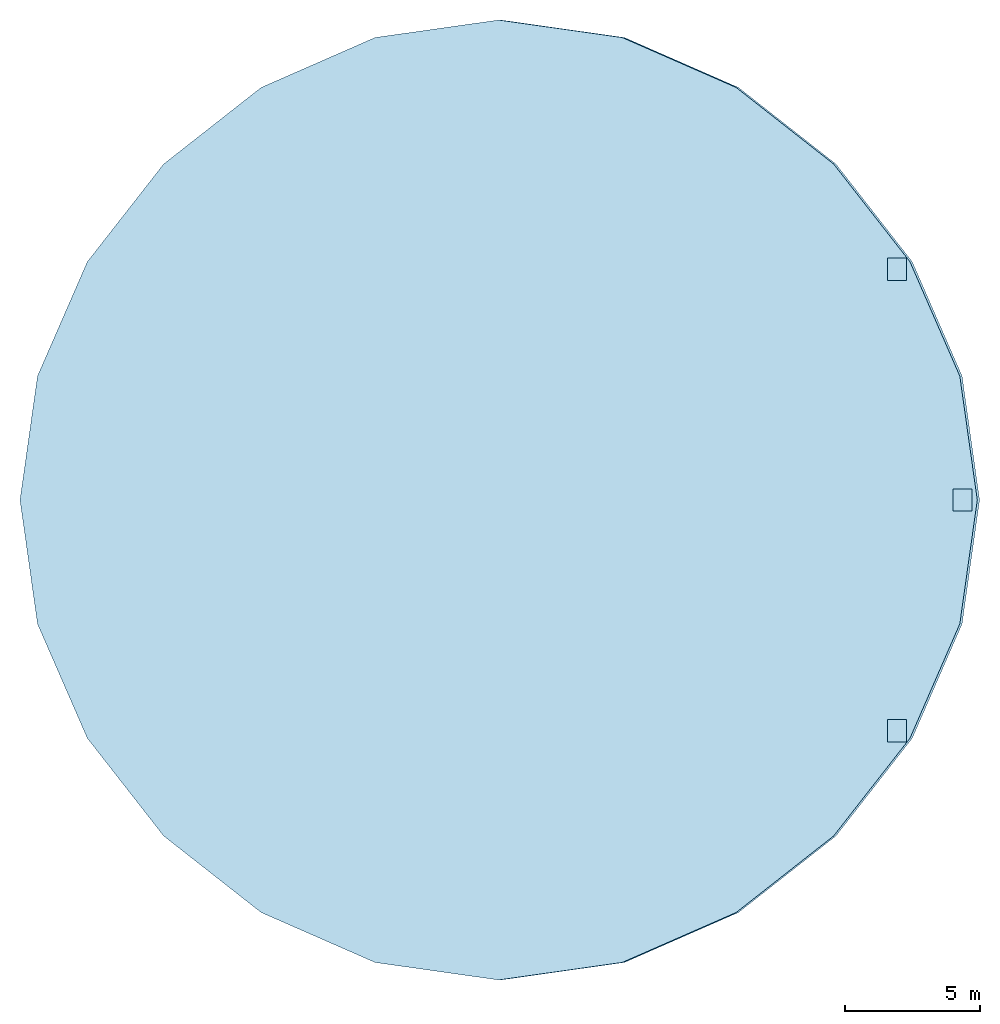
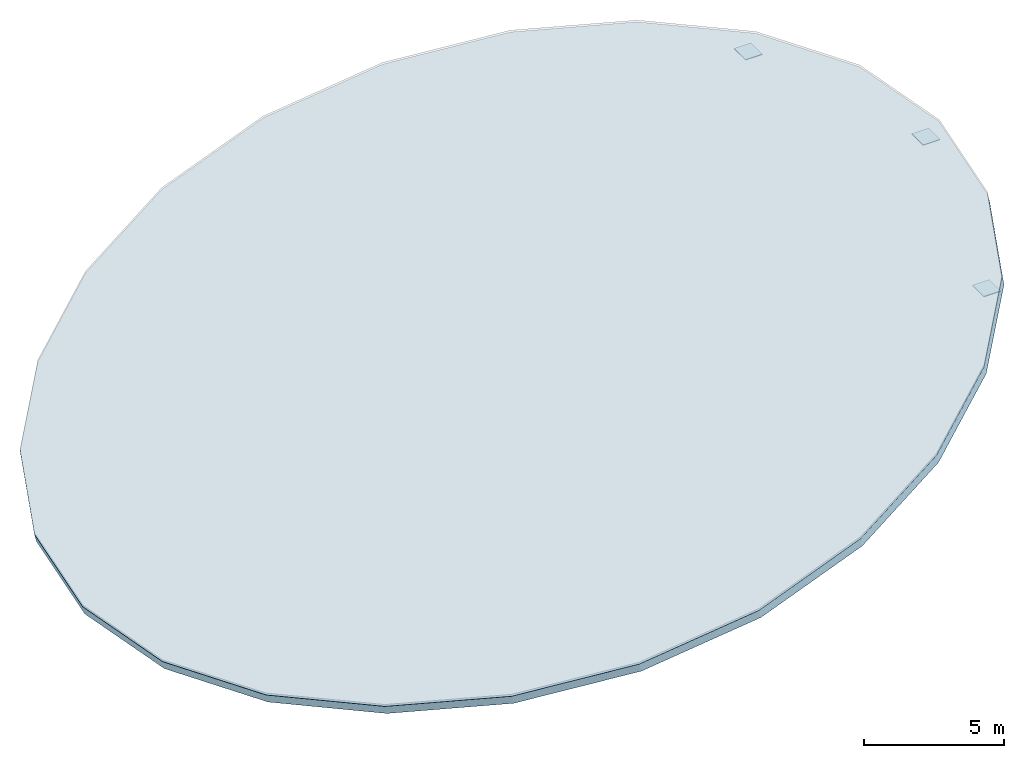
# One storey, part 1 of 2: 3 plates, 1 slab.
"""IFC4 building model written with IfcOpenShell, lengths in metres."""

from ifc_helpers import new_model, si_unit, direction, frame, origin, origin_2d, place, context, subcontext, project, spatial, polyline, rectangle, outline, extrude, material, layer, layer_set, type_object, element, save


model = new_model("IFC4")

# Units and contexts
model_context = context("Model", 3, precision=1e-05, world=origin(), true_north=direction((0.0, 1.0)))
body_context = subcontext(model_context, "Body", "Model", "MODEL_VIEW")
ifc_project = project(units=[si_unit("LENGTHUNIT", "METRE"), si_unit("AREAUNIT", "SQUARE_METRE"), si_unit("VOLUMEUNIT", "CUBIC_METRE"), si_unit("PLANEANGLEUNIT", "RADIAN"), si_unit("MASSUNIT", "GRAM", prefix="KILO")], contexts=[model_context])

# Site, building, storey
site_placement = place(None, origin())
site = spatial("IfcSite", under=ifc_project, at=site_placement, CompositionType="ELEMENT")
building_placement = place(site_placement, origin())
building = spatial("IfcBuilding", under=site, at=building_placement, Name="Varnakorn Sky Granary", CompositionType="ELEMENT")
storey_placement = place(building_placement, frame((0.0, 0.0, 323.39990234375)))
storey = spatial("IfcBuildingStorey", under=building, at=storey_placement, Name="RF", CompositionType="ELEMENT", Elevation=323.39990234375)

# Plates
ifc_material_1 = material(Name="Steel S460M", Category="steel")
ifc_layer_1 = layer(ifc_material_1, 0.031982421875, Name="Steel S460M")
ifc_layer_set_1 = layer_set([ifc_layer_1], Name="Steel S460M")
plate_type = type_object("IfcPlateType", Name="PL-NODE-KN8", PredefinedType="SHEET", material=ifc_layer_set_1)
for number, where, z_axis, x_axis, name in (
    (1, (22.0, 0.0, 0.6982421875), (0.0, 0.0, 1.0), (1.0, 0.0, 0.0), "Hollow Column Top Cap Plate KN8 L81-01"),
    (2, (19.58544921875, 8.532470703125, 0.095703125), (0.0, 0.0, 1.0), (1.0, 0.0, 0.0), "Hollow Column Top Cap Plate KN8 L81-02"),
    (3, (19.58544921875, -8.532470703125, 0.095703125), (0.0, 0.0, 1.0), (1.0, 0.0, 0.0), "Hollow Column Top Cap Plate KN8 L81-12"),
):
    element("IfcPlate", number, at=place(storey_placement, frame(where, z_axis=z_axis, x_axis=x_axis)), inside=storey, type_object=plate_type, Name=name, PredefinedType="SHEET", context=body_context, shape_type="SweptSolid", body=[
        extrude(rectangle(XDim=0.699951171875, YDim=0.820068359375, at=origin_2d()), origin(), (0.0, 0.0, 1.0), 0.031982421875),
    ])

# Slab
ifc_material_2 = material(Name="Concrete C50/60", Category="concrete")
ifc_layer_2 = layer(ifc_material_2, 0.35009765625, Name="Concrete C50/60")
ifc_layer_set_2 = layer_set([ifc_layer_2], Name="Concrete C50/60")
slab_type = type_object("IfcSlabType", Name="ST-SL-ROOF-350", PredefinedType="ROOF", material=ifc_layer_set_2)
slab_placement = place(storey_placement, frame((22.550048828125, 0.0, 1.2001953125), z_axis=(-0.24191873329, 0.0, 0.970296514723), x_axis=(-0.139666431244, 0.989586124384, -0.034822268881)))
element("IfcSlab", 4, at=slab_placement, inside=storey, type_object=slab_type, Name="Crown Slanted-Cut Main Roof Slab", PredefinedType="ROOF", context=body_context, shape_type="SweptSolid", body=[
    extrude(outline(polyline([(0.0, 0.0), (4.630743518258121, 4.163336342344337e-17), (9.085036010257317, 1.2700141325738483), (13.082410250116846, 3.628846989858569), (16.418916471271313, 6.898952574675874), (18.871622247134248, 10.930018781793853), (20.190916386293665, 15.496870473018063), (20.227366816522505, 20.250619544094512), (19.024683704641106, 24.813327162717613), (16.758053555080743, 28.89850660254677), (13.598323461747993, 32.29838880629824), (9.690419924161342, 34.78474104243364), (5.251567956730897, 36.10397519266189), (0.6208244384727764, 36.10397519266189), (-3.8334680535264196, 34.83396106008804), (-7.83084229338595, 32.47512820280332), (-11.167357016070904, 29.20496417086158), (-13.62005429040335, 25.17395641086803), (-14.93939102934307, 20.60681185065232), (-14.975798859791608, 15.853355648567375), (-13.773124249440697, 11.29058958281984), (-11.506485598349846, 7.2054685901151165), (-8.346755505017095, 3.8055863863636454), (-4.438851967430446, 1.3192341502282539), (0.0, 0.0)])), origin(), (0.0, 0.0, -1.0), 0.35009765625),
])

save(model, "model.ifc")
